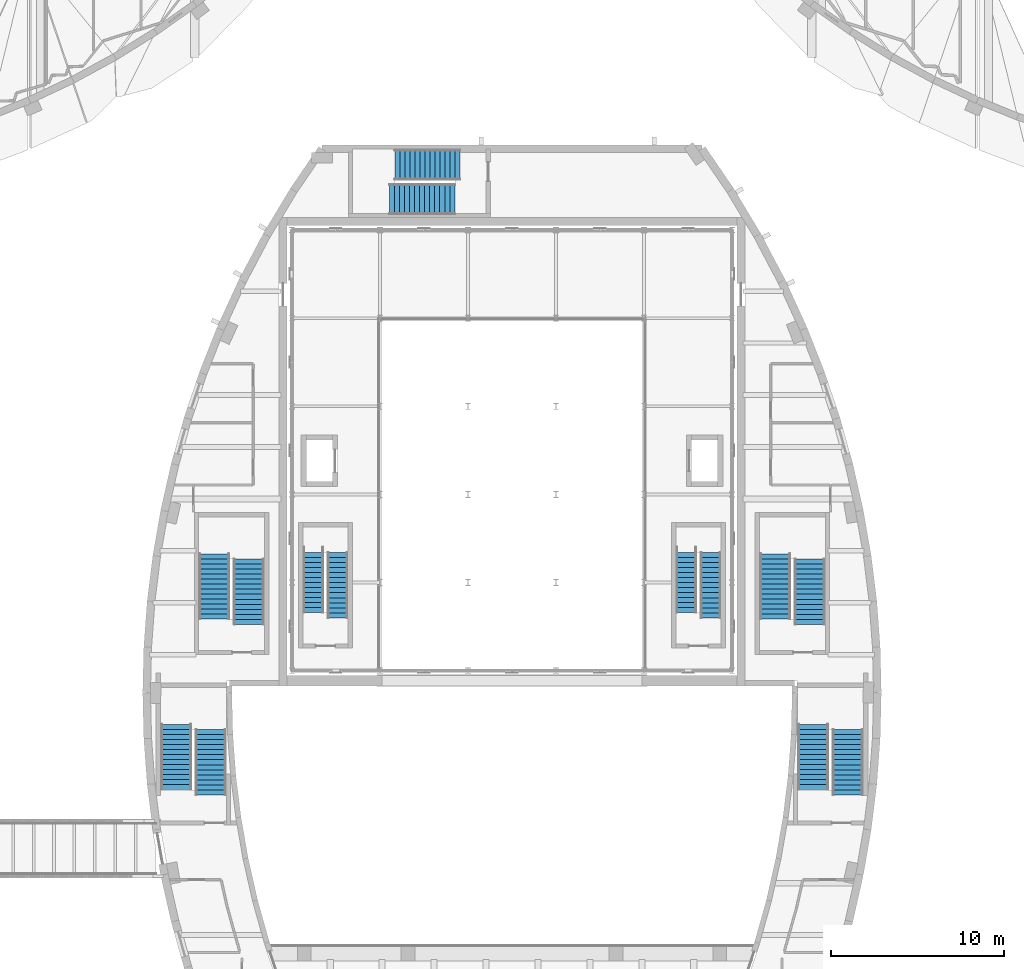
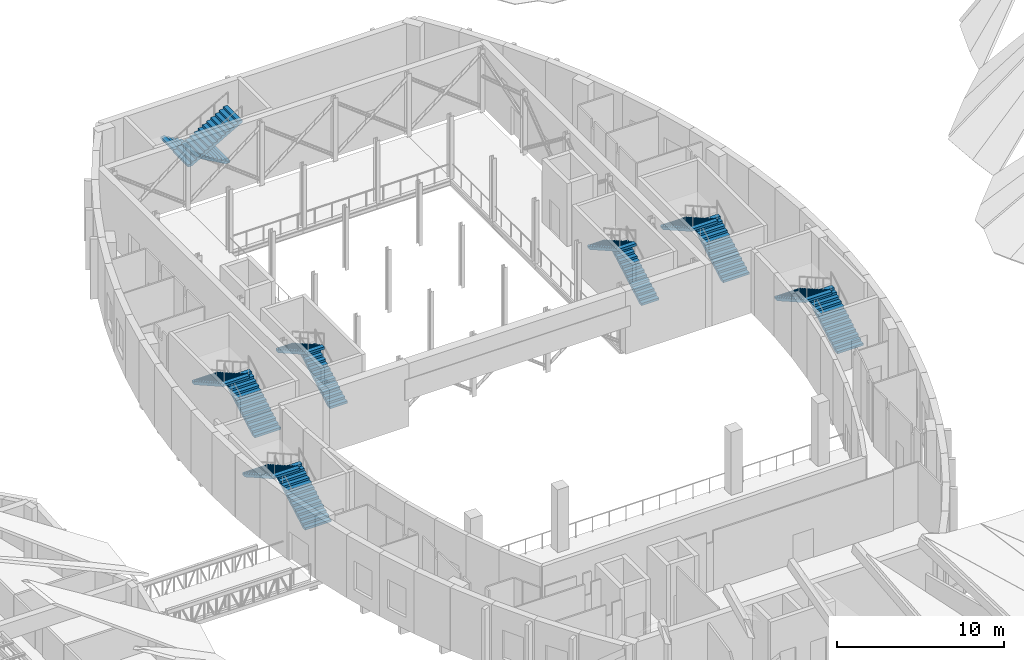
# One storey, part 50 of 56: 14 stair flights, 7 elements without a shape of their own.
"""IFC4 building model written with IfcOpenShell, lengths in metres."""

from ifc_helpers import new_model, si_unit, direction, frame, origin, place, context, subcontext, project, spatial, polyline, outline, extrude, material, type_object, element, aggregate, save


model = new_model("IFC4")

# Units and contexts
model_context = context("Model", 3, precision=1e-05, world=origin(), true_north=direction((0.0, 1.0)))
body_context = subcontext(model_context, "Body", "Model", "MODEL_VIEW")
ifc_project = project(units=[si_unit("LENGTHUNIT", "METRE"), si_unit("AREAUNIT", "SQUARE_METRE"), si_unit("VOLUMEUNIT", "CUBIC_METRE"), si_unit("PLANEANGLEUNIT", "RADIAN"), si_unit("MASSUNIT", "GRAM", prefix="KILO")], contexts=[model_context])

# Site, building, storey
site_placement = place(None, origin())
site = spatial("IfcSite", under=ifc_project, at=site_placement, CompositionType="ELEMENT")
building_placement = place(site_placement, origin())
building = spatial("IfcBuilding", under=site, at=building_placement, Name="Tide Square Theatres", CompositionType="ELEMENT")
storey_placement = place(building_placement, frame((0.0, 0.0, 10.199951171875)))
storey = spatial("IfcBuildingStorey", under=building, at=storey_placement, Name="L02", CompositionType="ELEMENT", Elevation=10.199951171875)

# Stair, stair flights
ifc_material_1 = material(Name="Concrete C35", Category="concrete")
stair_type_1 = type_object("IfcStairType", Name="Stair half turn 1200 wide, 28 risers, rise 4600", PredefinedType="HALF_TURN_STAIR", material=ifc_material_1)
stair_1_placement = place(storey_placement, origin())
stair_1 = element("IfcStair", 1, at=stair_1_placement, inside=storey, type_object=stair_type_1, Name="Fly Tower west stair", PredefinedType="HALF_TURN_STAIR")
ifc_material_2 = material(Name="Concrete C35", Category="concrete")
stair_flight_type_1 = type_object("IfcStairFlightType", Name="Flight 1200 wide 14 risers rise 4600", PredefinedType="STRAIGHT", material=ifc_material_2)
stair_flight_1_placement = place(storey_placement, frame((73.926025390625, 59.325927734375, 0.0), z_axis=(0.0, 0.0, 1.0), x_axis=(0.0, 1.0, 0.0)))
stair_flight_1 = element("IfcStairFlight", 2, at=stair_flight_1_placement, type_object=stair_flight_type_1, Name="ST-1200-4600 flight 1", NumberOfRisers=14, NumberOfTreads=13, PredefinedType="STRAIGHT", RiserHeight=0.164285714, TreadLength=0.29, context=body_context, shape_type="SweptSolid", body=[
    extrude(outline(polyline([(0.0, 0.0), (0.0, 0.164306640625), (0.2900390625, 0.164306640625), (0.2900390625, 0.32861328125), (0.580078125, 0.32861328125), (0.580078125, 0.492919921875), (0.8701171875, 0.492919921875), (0.8701171875, 0.6572265625), (1.159912109375, 0.6572265625), (1.159912109375, 0.821533203125), (1.449951171875, 0.821533203125), (1.449951171875, 0.985595703125), (1.739990234375, 0.985595703125), (1.739990234375, 1.14990234375), (2.030029296875, 1.14990234375), (2.030029296875, 1.314208984375), (2.320068359375, 1.314208984375), (2.320068359375, 1.478515625), (2.610107421875, 1.478515625), (2.610107421875, 1.642822265625), (2.89990234375, 1.642822265625), (2.89990234375, 1.80712890625), (3.18994140625, 1.80712890625), (3.18994140625, 1.971435546875), (3.47998046875, 1.971435546875), (3.47998046875, 2.1357421875), (3.77001953125, 2.1357421875), (3.77001953125, 2.300048828125), (3.77001953125, 1.96337890625), (0.30419921875, 0.0), (0.0, 0.0)])), frame((0.0, 0.60009765625, 0.0), z_axis=(0.0, -1.0, 0.0), x_axis=(1.0, 0.0, 0.0)), (0.0, 0.0, 1.0), 1.199951171875),
])
stair_flight_2_placement = place(storey_placement, frame((72.52587890625, 63.400390625, 2.300048828125), z_axis=(0.0, 0.0, 1.0), x_axis=(0.0, -1.0, 0.0)))
stair_flight_2 = element("IfcStairFlight", 3, at=stair_flight_2_placement, type_object=stair_flight_type_1, Name="ST-1200-4600 flight 2", NumberOfRisers=14, NumberOfTreads=13, PredefinedType="STRAIGHT", RiserHeight=0.164285714, TreadLength=0.29, context=body_context, shape_type="SweptSolid", body=[
    extrude(outline(polyline([(0.0, 0.0), (0.0, 0.164306640625), (0.2900390625, 0.164306640625), (0.2900390625, 0.32861328125), (0.580078125, 0.32861328125), (0.580078125, 0.492919921875), (0.8701171875, 0.492919921875), (0.8701171875, 0.6572265625), (1.159912109375, 0.6572265625), (1.159912109375, 0.821533203125), (1.449951171875, 0.821533203125), (1.449951171875, 0.985595703125), (1.739990234375, 0.985595703125), (1.739990234375, 1.14990234375), (2.030029296875, 1.14990234375), (2.030029296875, 1.314208984375), (2.320068359375, 1.314208984375), (2.320068359375, 1.478515625), (2.610107421875, 1.478515625), (2.610107421875, 1.642822265625), (2.89990234375, 1.642822265625), (2.89990234375, 1.80712890625), (3.18994140625, 1.80712890625), (3.18994140625, 1.971435546875), (3.47998046875, 1.971435546875), (3.47998046875, 2.1357421875), (3.77001953125, 2.1357421875), (3.77001953125, 2.300048828125), (3.77001953125, 1.96337890625), (0.30419921875, 0.0), (0.0, 0.0)])), frame((0.0, 0.60009765625, 0.0), z_axis=(0.0, -1.0, 0.0), x_axis=(1.0, 0.0, 0.0)), (0.0, 0.0, 1.0), 1.199951171875),
])
aggregate(stair_1, [stair_flight_1, stair_flight_2])

stair_2_placement = place(storey_placement, origin())
stair_2 = element("IfcStair", 4, at=stair_2_placement, inside=storey, type_object=stair_type_1, Name="Fly Tower east stair", PredefinedType="HALF_TURN_STAIR")
stair_flight_3_placement = place(storey_placement, frame((95.47412109375, 59.325927734375, 0.0), z_axis=(0.0, 0.0, 1.0), x_axis=(0.0, 1.0, 0.0)))
stair_flight_3 = element("IfcStairFlight", 5, at=stair_flight_3_placement, type_object=stair_flight_type_1, Name="ST-1200-4600 flight 1", NumberOfRisers=14, NumberOfTreads=13, PredefinedType="STRAIGHT", RiserHeight=0.164285714, TreadLength=0.29, context=body_context, shape_type="SweptSolid", body=[
    extrude(outline(polyline([(0.0, 0.0), (0.0, 0.164306640625), (0.2900390625, 0.164306640625), (0.2900390625, 0.32861328125), (0.580078125, 0.32861328125), (0.580078125, 0.492919921875), (0.8701171875, 0.492919921875), (0.8701171875, 0.6572265625), (1.159912109375, 0.6572265625), (1.159912109375, 0.821533203125), (1.449951171875, 0.821533203125), (1.449951171875, 0.985595703125), (1.739990234375, 0.985595703125), (1.739990234375, 1.14990234375), (2.030029296875, 1.14990234375), (2.030029296875, 1.314208984375), (2.320068359375, 1.314208984375), (2.320068359375, 1.478515625), (2.610107421875, 1.478515625), (2.610107421875, 1.642822265625), (2.89990234375, 1.642822265625), (2.89990234375, 1.80712890625), (3.18994140625, 1.80712890625), (3.18994140625, 1.971435546875), (3.47998046875, 1.971435546875), (3.47998046875, 2.1357421875), (3.77001953125, 2.1357421875), (3.77001953125, 2.300048828125), (3.77001953125, 1.96337890625), (0.30419921875, 0.0), (0.0, 0.0)])), frame((0.0, 0.60009765625, 0.0), z_axis=(0.0, -1.0, 0.0), x_axis=(1.0, 0.0, 0.0)), (0.0, 0.0, 1.0), 1.199951171875),
])
stair_flight_4_placement = place(storey_placement, frame((94.073974609375, 63.400390625, 2.300048828125), z_axis=(0.0, 0.0, 1.0), x_axis=(0.0, -1.0, 0.0)))
stair_flight_4 = element("IfcStairFlight", 6, at=stair_flight_4_placement, type_object=stair_flight_type_1, Name="ST-1200-4600 flight 2", NumberOfRisers=14, NumberOfTreads=13, PredefinedType="STRAIGHT", RiserHeight=0.164285714, TreadLength=0.29, context=body_context, shape_type="SweptSolid", body=[
    extrude(outline(polyline([(0.0, 0.0), (0.0, 0.164306640625), (0.2900390625, 0.164306640625), (0.2900390625, 0.32861328125), (0.580078125, 0.32861328125), (0.580078125, 0.492919921875), (0.8701171875, 0.492919921875), (0.8701171875, 0.6572265625), (1.159912109375, 0.6572265625), (1.159912109375, 0.821533203125), (1.449951171875, 0.821533203125), (1.449951171875, 0.985595703125), (1.739990234375, 0.985595703125), (1.739990234375, 1.14990234375), (2.030029296875, 1.14990234375), (2.030029296875, 1.314208984375), (2.320068359375, 1.314208984375), (2.320068359375, 1.478515625), (2.610107421875, 1.478515625), (2.610107421875, 1.642822265625), (2.89990234375, 1.642822265625), (2.89990234375, 1.80712890625), (3.18994140625, 1.80712890625), (3.18994140625, 1.971435546875), (3.47998046875, 1.971435546875), (3.47998046875, 2.1357421875), (3.77001953125, 2.1357421875), (3.77001953125, 2.300048828125), (3.77001953125, 1.96337890625), (0.30419921875, 0.0), (0.0, 0.0)])), frame((0.0, 0.60009765625, 0.0), z_axis=(0.0, -1.0, 0.0), x_axis=(1.0, 0.0, 0.0)), (0.0, 0.0, 1.0), 1.199951171875),
])
aggregate(stair_2, [stair_flight_3, stair_flight_4])

ifc_material_3 = material(Name="Concrete C35", Category="concrete")
stair_type_2 = type_object("IfcStairType", Name="Stair half turn 1800 wide, 28 risers, rise 4600", PredefinedType="HALF_TURN_STAIR", material=ifc_material_3)
stair_3_placement = place(storey_placement, origin())
stair_3 = element("IfcStair", 7, at=stair_3_placement, inside=storey, type_object=stair_type_2, Name="Main Theatre West Stair", PredefinedType="HALF_TURN_STAIR")
ifc_material_4 = material(Name="Concrete C35", Category="concrete")
stair_flight_type_2 = type_object("IfcStairFlightType", Name="Flight 1800 wide 14 risers rise 4600", PredefinedType="STRAIGHT", material=ifc_material_4)
stair_flight_5_placement = place(storey_placement, frame((68.800048828125, 58.949951171875, 0.0), z_axis=(0.0, 0.0, 1.0), x_axis=(0.0, 1.0, 0.0)))
stair_flight_5 = element("IfcStairFlight", 8, at=stair_flight_5_placement, type_object=stair_flight_type_2, Name="ST-1800-4600 flight 1", NumberOfRisers=14, NumberOfTreads=13, PredefinedType="STRAIGHT", RiserHeight=0.164285714, TreadLength=0.29, context=body_context, shape_type="SweptSolid", body=[
    extrude(outline(polyline([(0.0, 0.0), (0.0, 0.164306640625), (0.2900390625, 0.164306640625), (0.2900390625, 0.32861328125), (0.580078125, 0.32861328125), (0.580078125, 0.492919921875), (0.8701171875, 0.492919921875), (0.8701171875, 0.6572265625), (1.159912109375, 0.6572265625), (1.159912109375, 0.821533203125), (1.449951171875, 0.821533203125), (1.449951171875, 0.985595703125), (1.739990234375, 0.985595703125), (1.739990234375, 1.14990234375), (2.030029296875, 1.14990234375), (2.030029296875, 1.314208984375), (2.320068359375, 1.314208984375), (2.320068359375, 1.478515625), (2.610107421875, 1.478515625), (2.610107421875, 1.642822265625), (2.89990234375, 1.642822265625), (2.89990234375, 1.80712890625), (3.18994140625, 1.80712890625), (3.18994140625, 1.971435546875), (3.47998046875, 1.971435546875), (3.47998046875, 2.1357421875), (3.77001953125, 2.1357421875), (3.77001953125, 2.300048828125), (3.77001953125, 1.96337890625), (0.30419921875, 0.0), (0.0, 0.0)])), frame((0.0, 0.89990234375, 0.0), z_axis=(0.0, -1.0, 0.0), x_axis=(1.0, 0.0, 0.0)), (0.0, 0.0, 1.0), 1.800048828125),
])
stair_flight_6_placement = place(storey_placement, frame((66.800048828125, 63.0244140625, 2.300048828125), z_axis=(0.0, 0.0, 1.0), x_axis=(0.0, -1.0, 0.0)))
stair_flight_6 = element("IfcStairFlight", 9, at=stair_flight_6_placement, type_object=stair_flight_type_2, Name="ST-1800-4600 flight 2", NumberOfRisers=14, NumberOfTreads=13, PredefinedType="STRAIGHT", RiserHeight=0.164285714, TreadLength=0.29, context=body_context, shape_type="SweptSolid", body=[
    extrude(outline(polyline([(0.0, 0.0), (0.0, 0.164306640625), (0.2900390625, 0.164306640625), (0.2900390625, 0.32861328125), (0.580078125, 0.32861328125), (0.580078125, 0.492919921875), (0.8701171875, 0.492919921875), (0.8701171875, 0.6572265625), (1.159912109375, 0.6572265625), (1.159912109375, 0.821533203125), (1.449951171875, 0.821533203125), (1.449951171875, 0.985595703125), (1.739990234375, 0.985595703125), (1.739990234375, 1.14990234375), (2.030029296875, 1.14990234375), (2.030029296875, 1.314208984375), (2.320068359375, 1.314208984375), (2.320068359375, 1.478515625), (2.610107421875, 1.478515625), (2.610107421875, 1.642822265625), (2.89990234375, 1.642822265625), (2.89990234375, 1.80712890625), (3.18994140625, 1.80712890625), (3.18994140625, 1.971435546875), (3.47998046875, 1.971435546875), (3.47998046875, 2.1357421875), (3.77001953125, 2.1357421875), (3.77001953125, 2.300048828125), (3.77001953125, 1.96337890625), (0.30419921875, 0.0), (0.0, 0.0)])), frame((0.0, 0.89990234375, 0.0), z_axis=(0.0, -1.0, 0.0), x_axis=(1.0, 0.0, 0.0)), (0.0, 0.0, 1.0), 1.800048828125),
])
aggregate(stair_3, [stair_flight_5, stair_flight_6])

stair_4_placement = place(storey_placement, origin())
stair_4 = element("IfcStair", 10, at=stair_4_placement, inside=storey, type_object=stair_type_2, Name="Main Theatre East Stair", PredefinedType="HALF_TURN_STAIR")
stair_flight_7_placement = place(storey_placement, frame((101.199951171875, 58.949951171875, 0.0), z_axis=(0.0, 0.0, 1.0), x_axis=(0.0, 1.0, 0.0)))
stair_flight_7 = element("IfcStairFlight", 11, at=stair_flight_7_placement, type_object=stair_flight_type_2, Name="ST-1800-4600 flight 1", NumberOfRisers=14, NumberOfTreads=13, PredefinedType="STRAIGHT", RiserHeight=0.164285714, TreadLength=0.29, context=body_context, shape_type="SweptSolid", body=[
    extrude(outline(polyline([(0.0, 0.0), (0.0, 0.164306640625), (0.2900390625, 0.164306640625), (0.2900390625, 0.32861328125), (0.580078125, 0.32861328125), (0.580078125, 0.492919921875), (0.8701171875, 0.492919921875), (0.8701171875, 0.6572265625), (1.159912109375, 0.6572265625), (1.159912109375, 0.821533203125), (1.449951171875, 0.821533203125), (1.449951171875, 0.985595703125), (1.739990234375, 0.985595703125), (1.739990234375, 1.14990234375), (2.030029296875, 1.14990234375), (2.030029296875, 1.314208984375), (2.320068359375, 1.314208984375), (2.320068359375, 1.478515625), (2.610107421875, 1.478515625), (2.610107421875, 1.642822265625), (2.89990234375, 1.642822265625), (2.89990234375, 1.80712890625), (3.18994140625, 1.80712890625), (3.18994140625, 1.971435546875), (3.47998046875, 1.971435546875), (3.47998046875, 2.1357421875), (3.77001953125, 2.1357421875), (3.77001953125, 2.300048828125), (3.77001953125, 1.96337890625), (0.30419921875, 0.0), (0.0, 0.0)])), frame((0.0, 0.89990234375, 0.0), z_axis=(0.0, -1.0, 0.0), x_axis=(1.0, 0.0, 0.0)), (0.0, 0.0, 1.0), 1.800048828125),
])
stair_flight_8_placement = place(storey_placement, frame((99.199951171875, 63.0244140625, 2.300048828125), z_axis=(0.0, 0.0, 1.0), x_axis=(0.0, -1.0, 0.0)))
stair_flight_8 = element("IfcStairFlight", 12, at=stair_flight_8_placement, type_object=stair_flight_type_2, Name="ST-1800-4600 flight 2", NumberOfRisers=14, NumberOfTreads=13, PredefinedType="STRAIGHT", RiserHeight=0.164285714, TreadLength=0.29, context=body_context, shape_type="SweptSolid", body=[
    extrude(outline(polyline([(0.0, 0.0), (0.0, 0.164306640625), (0.2900390625, 0.164306640625), (0.2900390625, 0.32861328125), (0.580078125, 0.32861328125), (0.580078125, 0.492919921875), (0.8701171875, 0.492919921875), (0.8701171875, 0.6572265625), (1.159912109375, 0.6572265625), (1.159912109375, 0.821533203125), (1.449951171875, 0.821533203125), (1.449951171875, 0.985595703125), (1.739990234375, 0.985595703125), (1.739990234375, 1.14990234375), (2.030029296875, 1.14990234375), (2.030029296875, 1.314208984375), (2.320068359375, 1.314208984375), (2.320068359375, 1.478515625), (2.610107421875, 1.478515625), (2.610107421875, 1.642822265625), (2.89990234375, 1.642822265625), (2.89990234375, 1.80712890625), (3.18994140625, 1.80712890625), (3.18994140625, 1.971435546875), (3.47998046875, 1.971435546875), (3.47998046875, 2.1357421875), (3.77001953125, 2.1357421875), (3.77001953125, 2.300048828125), (3.77001953125, 1.96337890625), (0.30419921875, 0.0), (0.0, 0.0)])), frame((0.0, 0.89990234375, 0.0), z_axis=(0.0, -1.0, 0.0), x_axis=(1.0, 0.0, 0.0)), (0.0, 0.0, 1.0), 1.800048828125),
])
aggregate(stair_4, [stair_flight_7, stair_flight_8])

stair_5_placement = place(storey_placement, origin())
stair_5 = element("IfcStair", 13, at=stair_5_placement, inside=storey, type_object=stair_type_2, Name="Main Theatre West Circle Stair", PredefinedType="HALF_TURN_STAIR")
stair_flight_9_placement = place(storey_placement, frame((66.60009765625, 49.10009765625, 0.0), z_axis=(0.0, 0.0, 1.0), x_axis=(0.0, 1.0, 0.0)))
stair_flight_9 = element("IfcStairFlight", 14, at=stair_flight_9_placement, type_object=stair_flight_type_2, Name="ST-1800-4600 flight 1", NumberOfRisers=14, NumberOfTreads=13, PredefinedType="STRAIGHT", RiserHeight=0.164285714, TreadLength=0.29, context=body_context, shape_type="SweptSolid", body=[
    extrude(outline(polyline([(0.0, 0.0), (0.0, 0.164306640625), (0.2900390625, 0.164306640625), (0.2900390625, 0.32861328125), (0.580078125, 0.32861328125), (0.580078125, 0.492919921875), (0.8701171875, 0.492919921875), (0.8701171875, 0.6572265625), (1.159912109375, 0.6572265625), (1.159912109375, 0.821533203125), (1.449951171875, 0.821533203125), (1.449951171875, 0.985595703125), (1.739990234375, 0.985595703125), (1.739990234375, 1.14990234375), (2.030029296875, 1.14990234375), (2.030029296875, 1.314208984375), (2.320068359375, 1.314208984375), (2.320068359375, 1.478515625), (2.610107421875, 1.478515625), (2.610107421875, 1.642822265625), (2.89990234375, 1.642822265625), (2.89990234375, 1.80712890625), (3.18994140625, 1.80712890625), (3.18994140625, 1.971435546875), (3.47998046875, 1.971435546875), (3.47998046875, 2.1357421875), (3.77001953125, 2.1357421875), (3.77001953125, 2.300048828125), (3.77001953125, 1.96337890625), (0.30419921875, 0.0), (0.0, 0.0)])), frame((0.0, 0.89990234375, 0.0), z_axis=(0.0, -1.0, 0.0), x_axis=(1.0, 0.0, 0.0)), (0.0, 0.0, 1.0), 1.800048828125),
])
stair_flight_10_placement = place(storey_placement, frame((64.60009765625, 53.17431640625, 2.300048828125), z_axis=(0.0, 0.0, 1.0), x_axis=(0.0, -1.0, 0.0)))
stair_flight_10 = element("IfcStairFlight", 15, at=stair_flight_10_placement, type_object=stair_flight_type_2, Name="ST-1800-4600 flight 2", NumberOfRisers=14, NumberOfTreads=13, PredefinedType="STRAIGHT", RiserHeight=0.164285714, TreadLength=0.29, context=body_context, shape_type="SweptSolid", body=[
    extrude(outline(polyline([(0.0, 0.0), (0.0, 0.164306640625), (0.2900390625, 0.164306640625), (0.2900390625, 0.32861328125), (0.580078125, 0.32861328125), (0.580078125, 0.492919921875), (0.8701171875, 0.492919921875), (0.8701171875, 0.6572265625), (1.159912109375, 0.6572265625), (1.159912109375, 0.821533203125), (1.449951171875, 0.821533203125), (1.449951171875, 0.985595703125), (1.739990234375, 0.985595703125), (1.739990234375, 1.14990234375), (2.030029296875, 1.14990234375), (2.030029296875, 1.314208984375), (2.320068359375, 1.314208984375), (2.320068359375, 1.478515625), (2.610107421875, 1.478515625), (2.610107421875, 1.642822265625), (2.89990234375, 1.642822265625), (2.89990234375, 1.80712890625), (3.18994140625, 1.80712890625), (3.18994140625, 1.971435546875), (3.47998046875, 1.971435546875), (3.47998046875, 2.1357421875), (3.77001953125, 2.1357421875), (3.77001953125, 2.300048828125), (3.77001953125, 1.96337890625), (0.30419921875, 0.0), (0.0, 0.0)])), frame((0.0, 0.89990234375, 0.0), z_axis=(0.0, -1.0, 0.0), x_axis=(1.0, 0.0, 0.0)), (0.0, 0.0, 1.0), 1.800048828125),
])
aggregate(stair_5, [stair_flight_9, stair_flight_10])

stair_6_placement = place(storey_placement, origin())
stair_6 = element("IfcStair", 16, at=stair_6_placement, inside=storey, type_object=stair_type_2, Name="Main Theatre East Circle Stair", PredefinedType="HALF_TURN_STAIR")
stair_flight_11_placement = place(storey_placement, frame((103.39990234375, 49.10009765625, 0.0), z_axis=(0.0, 0.0, 1.0), x_axis=(0.0, 1.0, 0.0)))
stair_flight_11 = element("IfcStairFlight", 17, at=stair_flight_11_placement, type_object=stair_flight_type_2, Name="ST-1800-4600 flight 1", NumberOfRisers=14, NumberOfTreads=13, PredefinedType="STRAIGHT", RiserHeight=0.164285714, TreadLength=0.29, context=body_context, shape_type="SweptSolid", body=[
    extrude(outline(polyline([(0.0, 0.0), (0.0, 0.164306640625), (0.2900390625, 0.164306640625), (0.2900390625, 0.32861328125), (0.580078125, 0.32861328125), (0.580078125, 0.492919921875), (0.8701171875, 0.492919921875), (0.8701171875, 0.6572265625), (1.159912109375, 0.6572265625), (1.159912109375, 0.821533203125), (1.449951171875, 0.821533203125), (1.449951171875, 0.985595703125), (1.739990234375, 0.985595703125), (1.739990234375, 1.14990234375), (2.030029296875, 1.14990234375), (2.030029296875, 1.314208984375), (2.320068359375, 1.314208984375), (2.320068359375, 1.478515625), (2.610107421875, 1.478515625), (2.610107421875, 1.642822265625), (2.89990234375, 1.642822265625), (2.89990234375, 1.80712890625), (3.18994140625, 1.80712890625), (3.18994140625, 1.971435546875), (3.47998046875, 1.971435546875), (3.47998046875, 2.1357421875), (3.77001953125, 2.1357421875), (3.77001953125, 2.300048828125), (3.77001953125, 1.96337890625), (0.30419921875, 0.0), (0.0, 0.0)])), frame((0.0, 0.89990234375, 0.0), z_axis=(0.0, -1.0, 0.0), x_axis=(1.0, 0.0, 0.0)), (0.0, 0.0, 1.0), 1.800048828125),
])
stair_flight_12_placement = place(storey_placement, frame((101.39990234375, 53.17431640625, 2.300048828125), z_axis=(0.0, 0.0, 1.0), x_axis=(0.0, -1.0, 0.0)))
stair_flight_12 = element("IfcStairFlight", 18, at=stair_flight_12_placement, type_object=stair_flight_type_2, Name="ST-1800-4600 flight 2", NumberOfRisers=14, NumberOfTreads=13, PredefinedType="STRAIGHT", RiserHeight=0.164285714, TreadLength=0.29, context=body_context, shape_type="SweptSolid", body=[
    extrude(outline(polyline([(0.0, 0.0), (0.0, 0.164306640625), (0.2900390625, 0.164306640625), (0.2900390625, 0.32861328125), (0.580078125, 0.32861328125), (0.580078125, 0.492919921875), (0.8701171875, 0.492919921875), (0.8701171875, 0.6572265625), (1.159912109375, 0.6572265625), (1.159912109375, 0.821533203125), (1.449951171875, 0.821533203125), (1.449951171875, 0.985595703125), (1.739990234375, 0.985595703125), (1.739990234375, 1.14990234375), (2.030029296875, 1.14990234375), (2.030029296875, 1.314208984375), (2.320068359375, 1.314208984375), (2.320068359375, 1.478515625), (2.610107421875, 1.478515625), (2.610107421875, 1.642822265625), (2.89990234375, 1.642822265625), (2.89990234375, 1.80712890625), (3.18994140625, 1.80712890625), (3.18994140625, 1.971435546875), (3.47998046875, 1.971435546875), (3.47998046875, 2.1357421875), (3.77001953125, 2.1357421875), (3.77001953125, 2.300048828125), (3.77001953125, 1.96337890625), (0.30419921875, 0.0), (0.0, 0.0)])), frame((0.0, 0.89990234375, 0.0), z_axis=(0.0, -1.0, 0.0), x_axis=(1.0, 0.0, 0.0)), (0.0, 0.0, 1.0), 1.800048828125),
])
aggregate(stair_6, [stair_flight_11, stair_flight_12])

stair_7_placement = place(storey_placement, origin())
stair_7 = element("IfcStair", 19, at=stair_7_placement, inside=storey, type_object=stair_type_2, Name="Main Theatre North Stair", PredefinedType="HALF_TURN_STAIR")
stair_flight_13_placement = place(storey_placement, frame((81.0, 85.5, 0.0), z_axis=(0.0, 0.0, 1.0), x_axis=(-1.0, 0.0, 0.0)))
stair_flight_13 = element("IfcStairFlight", 20, at=stair_flight_13_placement, type_object=stair_flight_type_2, Name="ST-1800-4600 flight 1", NumberOfRisers=14, NumberOfTreads=13, PredefinedType="STRAIGHT", RiserHeight=0.164285714, TreadLength=0.29, context=body_context, shape_type="SweptSolid", body=[
    extrude(outline(polyline([(0.0, 0.0), (0.0, 0.164306640625), (0.2900390625, 0.164306640625), (0.2900390625, 0.32861328125), (0.580078125, 0.32861328125), (0.580078125, 0.492919921875), (0.8701171875, 0.492919921875), (0.8701171875, 0.6572265625), (1.159912109375, 0.6572265625), (1.159912109375, 0.821533203125), (1.449951171875, 0.821533203125), (1.449951171875, 0.985595703125), (1.739990234375, 0.985595703125), (1.739990234375, 1.14990234375), (2.030029296875, 1.14990234375), (2.030029296875, 1.314208984375), (2.320068359375, 1.314208984375), (2.320068359375, 1.478515625), (2.610107421875, 1.478515625), (2.610107421875, 1.642822265625), (2.89990234375, 1.642822265625), (2.89990234375, 1.80712890625), (3.18994140625, 1.80712890625), (3.18994140625, 1.971435546875), (3.47998046875, 1.971435546875), (3.47998046875, 2.1357421875), (3.77001953125, 2.1357421875), (3.77001953125, 2.300048828125), (3.77001953125, 1.96337890625), (0.30419921875, 0.0), (0.0, 0.0)])), frame((0.0, 0.89990234375, 0.0), z_axis=(0.0, -1.0, 0.0), x_axis=(1.0, 0.0, 0.0)), (0.0, 0.0, 1.0), 1.800048828125),
])
stair_flight_14_placement = place(storey_placement, frame((76.92578125, 83.5, 2.300048828125), z_axis=(0.0, 0.0, 1.0), x_axis=(1.0, 0.0, 0.0)))
stair_flight_14 = element("IfcStairFlight", 21, at=stair_flight_14_placement, type_object=stair_flight_type_2, Name="ST-1800-4600 flight 2", NumberOfRisers=14, NumberOfTreads=13, PredefinedType="STRAIGHT", RiserHeight=0.164285714, TreadLength=0.29, context=body_context, shape_type="SweptSolid", body=[
    extrude(outline(polyline([(0.0, 0.0), (0.0, 0.164306640625), (0.2900390625, 0.164306640625), (0.2900390625, 0.32861328125), (0.580078125, 0.32861328125), (0.580078125, 0.492919921875), (0.8701171875, 0.492919921875), (0.8701171875, 0.6572265625), (1.159912109375, 0.6572265625), (1.159912109375, 0.821533203125), (1.449951171875, 0.821533203125), (1.449951171875, 0.985595703125), (1.739990234375, 0.985595703125), (1.739990234375, 1.14990234375), (2.030029296875, 1.14990234375), (2.030029296875, 1.314208984375), (2.320068359375, 1.314208984375), (2.320068359375, 1.478515625), (2.610107421875, 1.478515625), (2.610107421875, 1.642822265625), (2.89990234375, 1.642822265625), (2.89990234375, 1.80712890625), (3.18994140625, 1.80712890625), (3.18994140625, 1.971435546875), (3.47998046875, 1.971435546875), (3.47998046875, 2.1357421875), (3.77001953125, 2.1357421875), (3.77001953125, 2.300048828125), (3.77001953125, 1.96337890625), (0.30419921875, 0.0), (0.0, 0.0)])), frame((0.0, 0.89990234375, 0.0), z_axis=(0.0, -1.0, 0.0), x_axis=(1.0, 0.0, 0.0)), (0.0, 0.0, 1.0), 1.800048828125),
])
aggregate(stair_7, [stair_flight_13, stair_flight_14])

save(model, "model.ifc")
